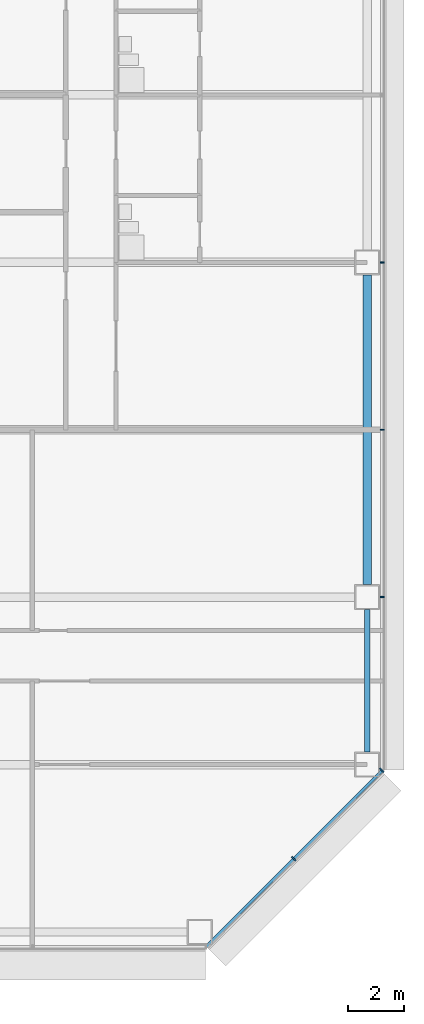
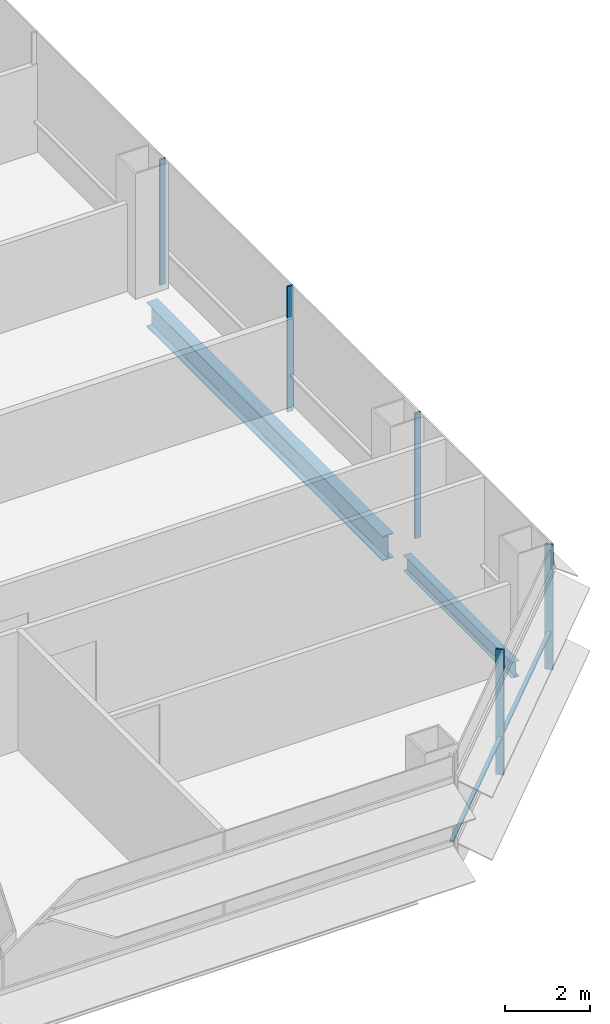
# One storey, part 16 of 26: 6 members, 2 beams, 2 elements without a shape of their own.
"""IFC4 building model written with IfcOpenShell, lengths in metres."""

from ifc_helpers import new_model, si_unit, direction, frame, origin, origin_2d, place, context, subcontext, project, spatial, rectangle, i_section, extrude, material, material_profile, profile_set, type_object, element, aggregate, save


model = new_model("IFC4")

# Units and contexts
model_context = context("Model", 3, precision=1e-05, world=origin(), true_north=direction((0.0, 1.0)))
body_context = subcontext(model_context, "Body", "Model", "MODEL_VIEW")
ifc_project = project(units=[si_unit("LENGTHUNIT", "METRE"), si_unit("AREAUNIT", "SQUARE_METRE"), si_unit("VOLUMEUNIT", "CUBIC_METRE"), si_unit("PLANEANGLEUNIT", "RADIAN"), si_unit("MASSUNIT", "GRAM", prefix="KILO")], contexts=[model_context])

# Site, building, storey
site_placement = place(None, origin())
site = spatial("IfcSite", under=ifc_project, at=site_placement, CompositionType="ELEMENT")
building_placement = place(site_placement, origin())
building = spatial("IfcBuilding", under=site, at=building_placement, Name="Sorahane Residences", CompositionType="ELEMENT")
storey_placement = place(building_placement, frame((0.0, 0.0, 64.199951171875)))
storey = spatial("IfcBuildingStorey", under=building, at=storey_placement, Name="L12", CompositionType="ELEMENT", Elevation=64.199951171875)

# Curtain wall, members
ifc_material_1 = material(Name="Dark low-e glass and black anodised aluminium", Category="aluminium")
curtain_wall_type_1 = type_object("IfcCurtainWallType", Name="Curtain wall CW-1 Typical unitised wall", PredefinedType="NOTDEFINED", material=ifc_material_1)
curtain_wall_1_placement = place(storey_placement, origin())
curtain_wall_1 = element("IfcCurtainWall", 1, at=curtain_wall_1_placement, inside=storey, type_object=curtain_wall_type_1, Name="CW-1 curtain wall L12 E1", PredefinedType="NOTDEFINED")
ifc_material_2 = material(Name="Black anodised aluminium", Category="aluminium")
ifc_material_profile_1 = material_profile(ifc_material_2, rectangle(XDim=0.159912109375, YDim=0.050048828125, at=origin_2d()), Name="Curtain wall mullion CW-1 black anodised aluminium 50x160")
ifc_profile_set_1 = profile_set([ifc_material_profile_1], Name="Black anodised aluminium")
member_type_1 = type_object("IfcMemberType", Name="Curtain wall mullion CW-1 black anodised aluminium 50x160", PredefinedType="MULLION", material=ifc_profile_set_1)
member_1_placement = place(storey_placement, frame((66.5400390625, 12.0, -0.179931640625), z_axis=(0.0, 0.0, 1.0), x_axis=(1.0, 0.0, 0.0)))
member_1 = element("IfcMember", 2, at=member_1_placement, type_object=member_type_1, Name="CW-1 mullion L12 E1.2", PredefinedType="MULLION", context=body_context, shape_type="SweptSolid", body=[
    extrude(rectangle(XDim=0.159912109375, YDim=0.050048828125, at=origin_2d()), origin(), (0.0, 0.0, 1.0), 3.60009765625),
])
member_2_placement = place(storey_placement, frame((66.5400390625, 18.0, -0.179931640625), z_axis=(0.0, 0.0, 1.0), x_axis=(1.0, 0.0, 0.0)))
member_2 = element("IfcMember", 3, at=member_2_placement, type_object=member_type_1, Name="CW-1 mullion L12 E1.3", PredefinedType="MULLION", context=body_context, shape_type="SweptSolid", body=[
    extrude(rectangle(XDim=0.159912109375, YDim=0.050048828125, at=origin_2d()), origin(), (0.0, 0.0, 1.0), 3.60009765625),
])
member_3_placement = place(storey_placement, frame((66.5400390625, 24.0, -0.179931640625), z_axis=(0.0, 0.0, 1.0), x_axis=(1.0, 0.0, 0.0)))
member_3 = element("IfcMember", 4, at=member_3_placement, type_object=member_type_1, Name="CW-1 mullion L12 E1.4", PredefinedType="MULLION", context=body_context, shape_type="SweptSolid", body=[
    extrude(rectangle(XDim=0.159912109375, YDim=0.050048828125, at=origin_2d()), origin(), (0.0, 0.0, 1.0), 3.60009765625),
])
aggregate(curtain_wall_1, [member_1, member_2, member_3])

ifc_material_3 = material(Name="Dark low-e glass and black anodised aluminium", Category="aluminium")
curtain_wall_type_2 = type_object("IfcCurtainWallType", Name="Curtain wall CW-2 Chamfer unitised wall", PredefinedType="NOTDEFINED", material=ifc_material_3)
curtain_wall_2_placement = place(storey_placement, origin())
curtain_wall_2 = element("IfcCurtainWall", 5, at=curtain_wall_2_placement, inside=storey, type_object=curtain_wall_type_2, Name="CW-2 curtain wall L12 SE1", PredefinedType="NOTDEFINED")
ifc_material_4 = material(Name="Black anodised aluminium", Category="aluminium")
ifc_material_profile_2 = material_profile(ifc_material_4, rectangle(XDim=0.199951171875, YDim=0.050048828125, at=origin_2d()), Name="Curtain wall mullion CW-2 black anodised aluminium 50x200")
ifc_profile_set_2 = profile_set([ifc_material_profile_2], Name="Black anodised aluminium")
member_type_2 = type_object("IfcMemberType", Name="Curtain wall mullion CW-2 black anodised aluminium 50x200", PredefinedType="MULLION", material=ifc_profile_set_2)
member_4_placement = place(storey_placement, frame((63.36767578125, 2.63232421875, -0.179931640625), z_axis=(0.0, 0.0, 1.0), x_axis=(0.707106781187, -0.707106781187, 0.0)))
member_4 = element("IfcMember", 6, at=member_4_placement, type_object=member_type_2, Name="CW-2 mullion L12 SE1.2", PredefinedType="MULLION", context=body_context, shape_type="SweptSolid", body=[
    extrude(rectangle(XDim=0.199951171875, YDim=0.050048828125, at=origin_2d()), origin(), (0.0, 0.0, 1.0), 3.60009765625),
])
member_5_placement = place(storey_placement, frame((66.525634765625, 5.790283203125, -0.179931640625), z_axis=(0.0, 0.0, 1.0), x_axis=(0.707106781187, -0.707106781187, 0.0)))
member_5 = element("IfcMember", 7, at=member_5_placement, type_object=member_type_2, Name="CW-2 mullion L12 SE1.3", PredefinedType="MULLION", context=body_context, shape_type="SweptSolid", body=[
    extrude(rectangle(XDim=0.199951171875, YDim=0.050048828125, at=origin_2d()), origin(), (0.0, 0.0, 1.0), 3.60009765625),
])
ifc_material_5 = material(Name="Black anodised aluminium", Category="aluminium")
ifc_material_profile_3 = material_profile(ifc_material_5, rectangle(XDim=0.10009765625, YDim=0.06005859375, at=origin_2d()), Name="Curtain wall transom CW-2 black anodised aluminium 60x100")
ifc_profile_set_3 = profile_set([ifc_material_profile_3], Name="Black anodised aluminium")
member_type_3 = type_object("IfcMemberType", Name="Curtain wall transom CW-2 black anodised aluminium 60x100", PredefinedType="USERDEFINED", material=ifc_profile_set_3)
member_6_placement = place(storey_placement, frame((60.234375, -0.51513671875, 0.900146484375), z_axis=(0.707106781187, 0.707106781187, 0.0), x_axis=(-0.707106781187, 0.707106781187, 0.0)))
member_6 = element("IfcMember", 8, at=member_6_placement, type_object=member_type_3, Name="CW-2 transom L12 SE1", ObjectType="TRANSOM", PredefinedType="USERDEFINED", context=body_context, shape_type="SweptSolid", body=[
    extrude(rectangle(XDim=0.10009765625, YDim=0.06005859375, at=origin_2d()), origin(), (0.0, 0.0, 1.0), 8.88232421875),
])
aggregate(curtain_wall_2, [member_4, member_5, member_6])

# Beams
ifc_material_6 = material(Name="Steel Q355B", Category="steel")
ifc_material_profile_4 = material_profile(ifc_material_6, i_section(OverallWidth=0.199951171875, OverallDepth=0.449951171875, WebThickness=0.009033203125, FlangeThickness=0.013916015625, FilletRadius=0.02001953125, at=origin_2d()), Name="HN 450x200x9x14")
ifc_profile_set_4 = profile_set([ifc_material_profile_4], Name="Steel Q355B")
beam_type_1 = type_object("IfcBeamType", Name="Steel floor beam HN 450x200x9x14 Q355B", PredefinedType="BEAM", material=ifc_profile_set_4)
beam_1_placement = place(storey_placement, frame((66.0, 6.449951171875, -0.405029296875), z_axis=(0.0, 1.0, 0.0), x_axis=(-1.0, 0.0, 0.0)))
element("IfcBeam", 9, at=beam_1_placement, inside=storey, type_object=beam_type_1, Name="Beam L12 057", PredefinedType="BEAM", context=body_context, shape_type="SweptSolid", body=[
    extrude(i_section(OverallWidth=0.199951171875, OverallDepth=0.449951171875, WebThickness=0.009033203125, FlangeThickness=0.013916015625, FilletRadius=0.02001953125, at=origin_2d()), origin(), (0.0, 0.0, 1.0), 5.10009765625),
])
ifc_material_7 = material(Name="Steel Q355B", Category="steel")
ifc_material_profile_5 = material_profile(ifc_material_7, i_section(OverallWidth=0.300048828125, OverallDepth=0.699951171875, WebThickness=0.012939453125, FlangeThickness=0.02392578125, FilletRadius=0.028076171875, at=origin_2d()), Name="HN 700x300x13x24")
ifc_profile_set_5 = profile_set([ifc_material_profile_5], Name="Steel Q355B")
beam_type_2 = type_object("IfcBeamType", Name="Steel floor beam HN 700x300x13x24 Q355B", PredefinedType="BEAM", material=ifc_profile_set_5)
beam_2_placement = place(storey_placement, frame((66.0, 12.449951171875, -0.530029296875), z_axis=(0.0, 1.0, 0.0), x_axis=(-1.0, 0.0, 0.0)))
element("IfcBeam", 10, at=beam_2_placement, inside=storey, type_object=beam_type_2, Name="Beam L12 058", PredefinedType="BEAM", context=body_context, shape_type="SweptSolid", body=[
    extrude(i_section(OverallWidth=0.300048828125, OverallDepth=0.699951171875, WebThickness=0.012939453125, FlangeThickness=0.02392578125, FilletRadius=0.028076171875, at=origin_2d()), origin(), (0.0, 0.0, 1.0), 11.10009765625),
])

save(model, "model.ifc")
